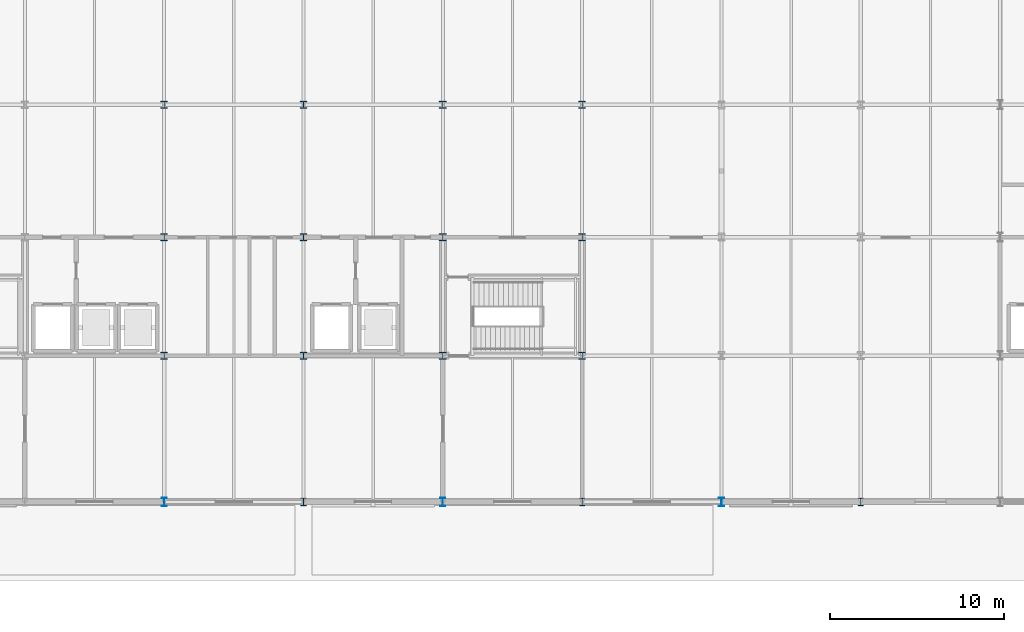
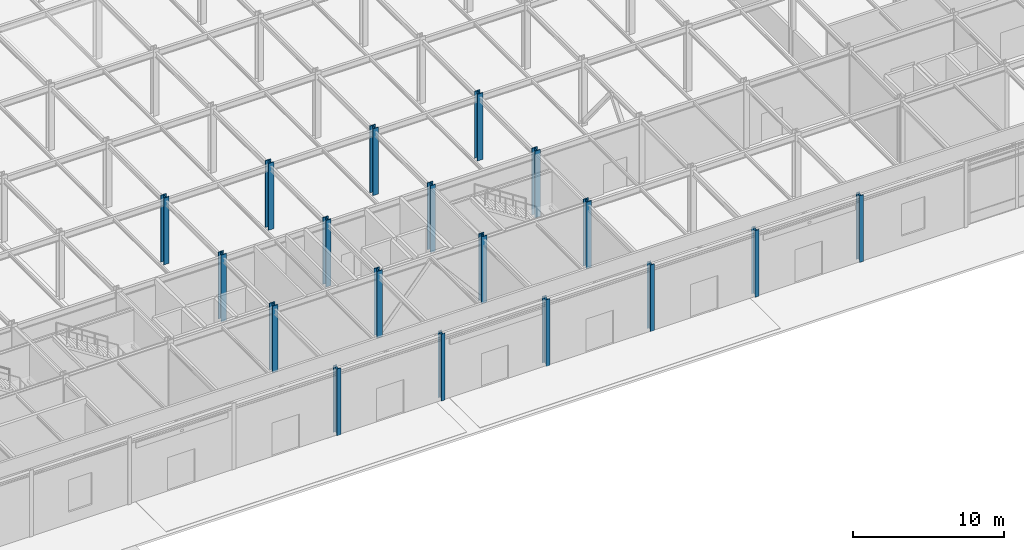
# One storey, part 5 of 89: 18 columns.
"""IFC4 building model written with IfcOpenShell, lengths in metres."""

from ifc_helpers import new_model, si_unit, direction, frame, origin, origin_2d, place, context, subcontext, project, spatial, i_section, extrude, material, material_profile, profile_set, type_object, element, save


model = new_model("IFC4")

# Units and contexts
model_context = context("Model", 3, precision=1e-05, world=origin(), true_north=direction((0.0, 1.0)))
body_context = subcontext(model_context, "Body", "Model", "MODEL_VIEW")
ifc_project = project(units=[si_unit("LENGTHUNIT", "METRE"), si_unit("AREAUNIT", "SQUARE_METRE"), si_unit("VOLUMEUNIT", "CUBIC_METRE"), si_unit("PLANEANGLEUNIT", "RADIAN"), si_unit("MASSUNIT", "GRAM", prefix="KILO")], contexts=[model_context])

# Site, building, storey
site_placement = place(None, origin())
site = spatial("IfcSite", under=ifc_project, at=site_placement, CompositionType="ELEMENT")
building_placement = place(site_placement, origin())
building = spatial("IfcBuilding", under=site, at=building_placement, Name="Shalkamar Park Central Library", CompositionType="ELEMENT")
storey_placement = place(building_placement, origin())
storey = spatial("IfcBuildingStorey", under=building, at=storey_placement, Name="L01", CompositionType="ELEMENT", Elevation=0.0)

# Columns
ifc_material = material(Name="Steel S355", Category="steel")
ifc_material_profile_1 = material_profile(ifc_material, i_section(OverallWidth=0.412109375, OverallDepth=0.43505859375, WebThickness=0.035888671875, FlangeThickness=0.057373046875, FilletRadius=0.014892578125, at=origin_2d()), Name="HD 400x463")
ifc_profile_set_1 = profile_set([ifc_material_profile_1], Name="Steel S355")
column_type_1 = type_object("IfcColumnType", Name="Column Steel HD400x463", PredefinedType="COLUMN", material=ifc_profile_set_1)
for number, where, z_axis, x_axis, name in (
    (1, (181.0, 248.39990234375, 0.0), (0.0, 0.0, 1.0), (1.0, 0.0, 0.0), "Column 09/B (L01)"),
    (2, (181.0, 255.199951171875, 0.0), (0.0, 0.0, 1.0), (1.0, 0.0, 0.0), "Column 09/C (L01)"),
    (3, (181.0, 262.800048828125, 0.0), (0.0, 0.0, 1.0), (1.0, 0.0, 0.0), "Column 09/D (L01)"),
    (4, (189.0, 248.39990234375, 0.0), (0.0, 0.0, 1.0), (1.0, 0.0, 0.0), "Column 10/B (L01)"),
    (5, (189.0, 255.199951171875, 0.0), (0.0, 0.0, 1.0), (1.0, 0.0, 0.0), "Column 10/C (L01)"),
    (6, (189.0, 262.800048828125, 0.0), (0.0, 0.0, 1.0), (1.0, 0.0, 0.0), "Column 10/D (L01)"),
    (7, (197.0, 248.39990234375, 0.0), (0.0, 0.0, 1.0), (1.0, 0.0, 0.0), "Column 11/B (L01)"),
    (8, (197.0, 255.199951171875, 0.0), (0.0, 0.0, 1.0), (1.0, 0.0, 0.0), "Column 11/C (L01)"),
    (9, (197.0, 262.800048828125, 0.0), (0.0, 0.0, 1.0), (1.0, 0.0, 0.0), "Column 11/D (L01)"),
    (10, (205.0, 248.39990234375, 0.0), (0.0, 0.0, 1.0), (1.0, 0.0, 0.0), "Column 12/B (L01)"),
    (11, (205.0, 255.199951171875, 0.0), (0.0, 0.0, 1.0), (1.0, 0.0, 0.0), "Column 12/C (L01)"),
    (12, (205.0, 262.800048828125, 0.0), (0.0, 0.0, 1.0), (1.0, 0.0, 0.0), "Column 12/D (L01)"),
):
    element("IfcColumn", number, at=place(storey_placement, frame(where, z_axis=z_axis, x_axis=x_axis)), inside=storey, type_object=column_type_1, Name=name, PredefinedType="COLUMN", context=body_context, shape_type="SweptSolid", body=[
        extrude(i_section(OverallWidth=0.412109375, OverallDepth=0.43505859375, WebThickness=0.035888671875, FlangeThickness=0.057373046875, FilletRadius=0.014892578125, at=origin_2d()), origin(), (0.0, 0.0, 1.0), 5.39990234375),
    ])
ifc_material_profile_2 = material_profile(ifc_material, i_section(OverallWidth=0.300048828125, OverallDepth=0.449951171875, WebThickness=0.013916015625, FlangeThickness=0.02587890625, FilletRadius=0.027099609375, at=origin_2d()), Name="HEB 450")
ifc_profile_set_2 = profile_set([ifc_material_profile_2], Name="Steel S355")
column_type_2 = type_object("IfcColumnType", Name="Column Steel HEB450", PredefinedType="COLUMN", material=ifc_profile_set_2)
for number, where, z_axis, x_axis, name in (
    (13, (189.0, 240.0, 0.0), (0.0, 0.0, 1.0), (1.0, 0.0, 0.0), "Column 10/A (L01)"),
    (14, (205.0, 240.0, 0.0), (0.0, 0.0, 1.0), (1.0, 0.0, 0.0), "Column 12/A (L01)"),
    (15, (221.0, 240.0, 0.0), (0.0, 0.0, 1.0), (1.0, 0.0, 0.0), "Column 14/A (L01)"),
):
    element("IfcColumn", number, at=place(storey_placement, frame(where, z_axis=z_axis, x_axis=x_axis)), inside=storey, type_object=column_type_2, Name=name, PredefinedType="COLUMN", context=body_context, shape_type="SweptSolid", body=[
        extrude(i_section(OverallWidth=0.300048828125, OverallDepth=0.449951171875, WebThickness=0.013916015625, FlangeThickness=0.02587890625, FilletRadius=0.027099609375, at=origin_2d()), origin(), (0.0, 0.0, 1.0), 5.39990234375),
    ])
ifc_material_profile_3 = material_profile(ifc_material, i_section(OverallWidth=0.300048828125, OverallDepth=0.5, WebThickness=0.014404296875, FlangeThickness=0.028076171875, FilletRadius=0.027099609375, at=origin_2d()), Name="HEB 500")
ifc_profile_set_3 = profile_set([ifc_material_profile_3], Name="Steel S355")
column_type_3 = type_object("IfcColumnType", Name="Column Steel HEB500", PredefinedType="COLUMN", material=ifc_profile_set_3)
for number, where, z_axis, x_axis, name in (
    (16, (181.0, 240.0, 0.0), (0.0, 0.0, 1.0), (1.0, 0.0, 0.0), "Column 09/A (L01)"),
    (17, (197.0, 240.0, 0.0), (0.0, 0.0, 1.0), (1.0, 0.0, 0.0), "Column 11/A (L01)"),
    (18, (213.0, 240.0, 0.0), (0.0, 0.0, 1.0), (1.0, 0.0, 0.0), "Column 13/A (L01)"),
):
    element("IfcColumn", number, at=place(storey_placement, frame(where, z_axis=z_axis, x_axis=x_axis)), inside=storey, type_object=column_type_3, Name=name, PredefinedType="COLUMN", context=body_context, shape_type="SweptSolid", body=[
        extrude(i_section(OverallWidth=0.300048828125, OverallDepth=0.5, WebThickness=0.014404296875, FlangeThickness=0.028076171875, FilletRadius=0.027099609375, at=origin_2d()), origin(), (0.0, 0.0, 1.0), 5.39990234375),
    ])

save(model, "model.ifc")
